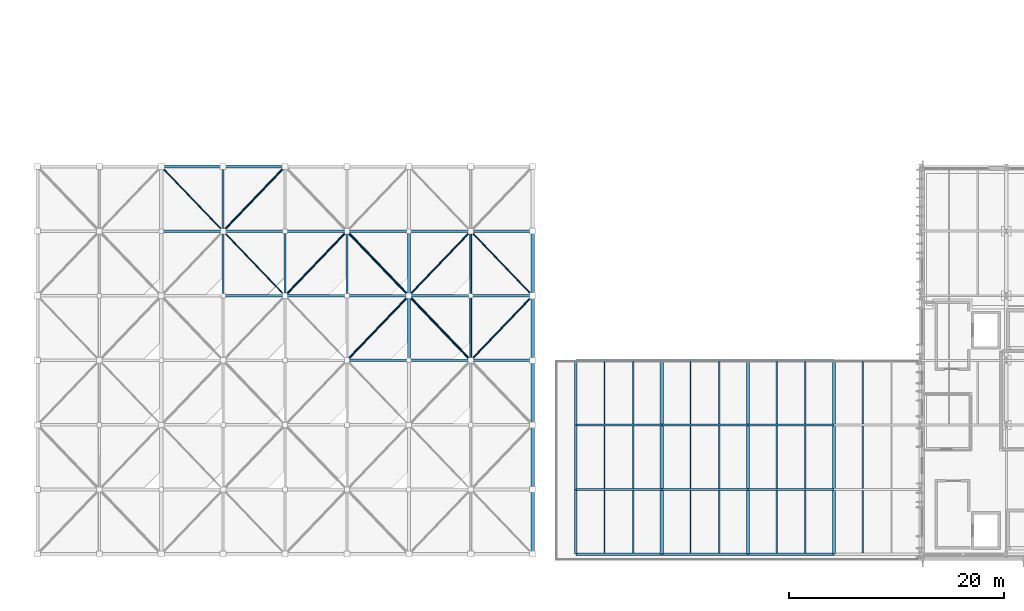
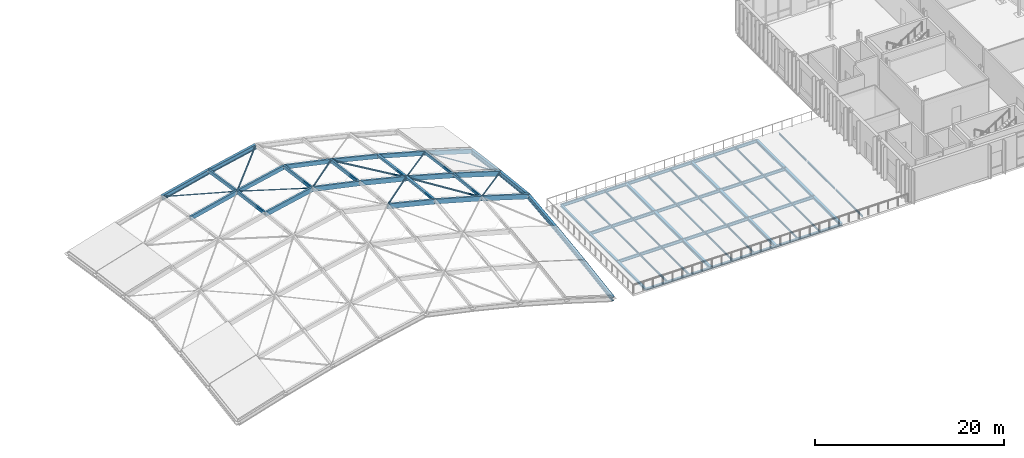
# One storey, part 13 of 62: 52 beams, 32 members.
"""IFC4 building model written with IfcOpenShell, lengths in metres."""

from ifc_helpers import new_model, si_unit, direction, frame, origin, origin_2d, place, context, subcontext, project, spatial, rectangle, hollow_circle, i_section, extrude, material, material_profile, profile_set, type_object, element, save


model = new_model("IFC4")

# Units and contexts
model_context = context("Model", 3, precision=1e-05, world=origin(), true_north=direction((0.0, 1.0)))
body_context = subcontext(model_context, "Body", "Model", "MODEL_VIEW")
ifc_project = project(units=[si_unit("LENGTHUNIT", "METRE"), si_unit("AREAUNIT", "SQUARE_METRE"), si_unit("VOLUMEUNIT", "CUBIC_METRE"), si_unit("PLANEANGLEUNIT", "RADIAN"), si_unit("MASSUNIT", "GRAM", prefix="KILO")], contexts=[model_context])

# Site, building, storey
site_placement = place(None, origin())
site = spatial("IfcSite", under=ifc_project, at=site_placement, CompositionType="ELEMENT")
building_placement = place(site_placement, origin())
building = spatial("IfcBuilding", under=site, at=building_placement, Name="Cymarion Research Institute", CompositionType="ELEMENT")
storey_placement = place(building_placement, frame((0.0, 0.0, 18.300048828125)))
storey = spatial("IfcBuildingStorey", under=building, at=storey_placement, Name="L04", CompositionType="ELEMENT", Elevation=18.300048828125)

# Beams
ifc_material_1 = material(Name="Steel S355", Category="steel")
ifc_material_profile_1 = material_profile(ifc_material_1, i_section(OverallWidth=0.179931640625, OverallDepth=0.39990234375, WebThickness=0.008544921875, FlangeThickness=0.013427734375, FilletRadius=0.02099609375, at=origin_2d()), Name="IPE 400")
ifc_profile_set_1 = profile_set([ifc_material_profile_1], Name="Steel S355")
beam_type_1 = type_object("IfcBeamType", Name="PRIMARY GIRDER BM05 IPE 400", PredefinedType="BEAM", material=ifc_profile_set_1)
for number, where, z_axis, x_axis, name in (
    (1, (106.60595703125, 11.5, -0.4599609375), (1.0, 0.0, 0.0), (0.0, 1.0, 0.0), "L04 V1 girder BM05 #1598"),
    (2, (114.60595703125, 11.5, -0.4599609375), (1.0, 0.0, 0.0), (0.0, 1.0, 0.0), "L04 V1 girder BM05 #1599"),
    (3, (122.60595703125, 11.5, -0.4599609375), (1.0, 0.0, 0.0), (0.0, 1.0, 0.0), "L04 V1 girder BM05 #1600"),
    (4, (106.60595703125, 17.5, -0.4599609375), (1.0, 0.0, 0.0), (0.0, 1.0, 0.0), "L04 V1 girder BM05 #1602"),
    (5, (114.60595703125, 17.5, -0.4599609375), (1.0, 0.0, 0.0), (0.0, 1.0, 0.0), "L04 V1 girder BM05 #1603"),
    (6, (122.60595703125, 17.5, -0.4599609375), (1.0, 0.0, 0.0), (0.0, 1.0, 0.0), "L04 V1 girder BM05 #1604"),
    (7, (106.60595703125, 23.5, -0.4599609375), (1.0, 0.0, 0.0), (0.0, 1.0, 0.0), "L04 V1 girder BM05 #1608"),
    (8, (114.60595703125, 23.5, -0.4599609375), (1.0, 0.0, 0.0), (0.0, 1.0, 0.0), "L04 V1 girder BM05 #1609"),
    (9, (122.60595703125, 23.5, -0.4599609375), (1.0, 0.0, 0.0), (0.0, 1.0, 0.0), "L04 V1 girder BM05 #1610"),
):
    element("IfcBeam", number, at=place(storey_placement, frame(where, z_axis=z_axis, x_axis=x_axis)), inside=storey, type_object=beam_type_1, Name=name, PredefinedType="BEAM", context=body_context, shape_type="SweptSolid", body=[
        extrude(i_section(OverallWidth=0.179931640625, OverallDepth=0.39990234375, WebThickness=0.008544921875, FlangeThickness=0.013427734375, FilletRadius=0.02099609375, at=origin_2d()), origin(), (0.0, 0.0, 1.0), 7.988037109375),
    ])
ifc_material_profile_2 = material_profile(ifc_material_1, i_section(OverallWidth=0.300048828125, OverallDepth=0.35009765625, WebThickness=0.010009765625, FlangeThickness=0.017578125, FilletRadius=0.027099609375, at=origin_2d()), Name="HEA 360")
ifc_profile_set_2 = profile_set([ifc_material_profile_2], Name="Steel S355")
beam_type_2 = type_object("IfcBeamType", Name="PRIMARY GIRDER BM12 HEA 360", PredefinedType="BEAM", material=ifc_profile_set_2)
for number, where, z_axis, x_axis, name in (
    (10, (114.60009765625, 5.506103515625, -0.43505859375), (0.0, 1.0, 0.0), (-1.0, 0.0, 0.0), "L04 V1 girder BM12 #1623"),
    (11, (114.60009765625, 11.506103515625, -0.43505859375), (0.0, 1.0, 0.0), (-1.0, 0.0, 0.0), "L04 V1 girder BM12 #1624"),
    (12, (114.60009765625, 17.506103515625, -0.43505859375), (0.0, 1.0, 0.0), (-1.0, 0.0, 0.0), "L04 V1 girder BM12 #1625"),
    (13, (122.60009765625, 5.506103515625, -0.43505859375), (0.0, 1.0, 0.0), (-1.0, 0.0, 0.0), "L04 V1 girder BM12 #1626"),
    (14, (122.60009765625, 11.506103515625, -0.43505859375), (0.0, 1.0, 0.0), (-1.0, 0.0, 0.0), "L04 V1 girder BM12 #1627"),
    (15, (122.60009765625, 17.506103515625, -0.43505859375), (0.0, 1.0, 0.0), (-1.0, 0.0, 0.0), "L04 V1 girder BM12 #1628"),
    (16, (130.60009765625, 5.506103515625, -0.43505859375), (0.0, 1.0, 0.0), (-1.0, 0.0, 0.0), "L04 V1 girder BM12 #1629"),
    (17, (130.60009765625, 11.506103515625, -0.43505859375), (0.0, 1.0, 0.0), (-1.0, 0.0, 0.0), "L04 V1 girder BM12 #1630"),
    (18, (130.60009765625, 17.506103515625, -0.43505859375), (0.0, 1.0, 0.0), (-1.0, 0.0, 0.0), "L04 V1 girder BM12 #1631"),
):
    element("IfcBeam", number, at=place(storey_placement, frame(where, z_axis=z_axis, x_axis=x_axis)), inside=storey, type_object=beam_type_2, Name=name, PredefinedType="BEAM", context=body_context, shape_type="SweptSolid", body=[
        extrude(i_section(OverallWidth=0.300048828125, OverallDepth=0.35009765625, WebThickness=0.010009765625, FlangeThickness=0.017578125, FilletRadius=0.027099609375, at=origin_2d()), origin(), (0.0, 0.0, 1.0), 5.98779296875),
    ])
ifc_material_profile_3 = material_profile(ifc_material_1, i_section(OverallWidth=0.1201171875, OverallDepth=0.239990234375, WebThickness=0.006103515625, FlangeThickness=0.009765625, FilletRadius=0.014892578125, at=origin_2d()), Name="IPE 240")
ifc_profile_set_3 = profile_set([ifc_material_profile_3], Name="Steel S355")
beam_type_3 = type_object("IfcBeamType", Name="SECONDARY JOIST JS04 IPE 240", PredefinedType="JOIST", material=ifc_profile_set_3)
for number, where, z_axis, x_axis, name in (
    (19, (109.2666015625, 5.6240234375, -0.380126953125), (0.0, 1.0, 0.0), (-1.0, 0.0, 0.0), "L04 V1 secondary joist JS04 #1665"),
    (20, (111.933349609375, 5.6240234375, -0.380126953125), (0.0, 1.0, 0.0), (-1.0, 0.0, 0.0), "L04 V1 secondary joist JS04 #1666"),
    (21, (117.2666015625, 5.6240234375, -0.380126953125), (0.0, 1.0, 0.0), (-1.0, 0.0, 0.0), "L04 V1 secondary joist JS04 #1667"),
    (22, (119.933349609375, 5.6240234375, -0.380126953125), (0.0, 1.0, 0.0), (-1.0, 0.0, 0.0), "L04 V1 secondary joist JS04 #1668"),
    (23, (125.2666015625, 5.6240234375, -0.380126953125), (0.0, 1.0, 0.0), (-1.0, 0.0, 0.0), "L04 V1 secondary joist JS04 #1669"),
    (24, (127.933349609375, 5.6240234375, -0.380126953125), (0.0, 1.0, 0.0), (-1.0, 0.0, 0.0), "L04 V1 secondary joist JS04 #1670"),
    (25, (133.2666015625, 5.6240234375, -0.380126953125), (0.0, 1.0, 0.0), (-1.0, 0.0, 0.0), "L04 V1 secondary joist JS04 #1671"),
):
    element("IfcBeam", number, at=place(storey_placement, frame(where, z_axis=z_axis, x_axis=x_axis)), inside=storey, type_object=beam_type_3, Name=name, PredefinedType="JOIST", context=body_context, shape_type="SweptSolid", body=[
        extrude(i_section(OverallWidth=0.1201171875, OverallDepth=0.239990234375, WebThickness=0.006103515625, FlangeThickness=0.009765625, FilletRadius=0.014892578125, at=origin_2d()), origin(), (0.0, 0.0, 1.0), 5.781982421875),
    ])
for number, where, z_axis, x_axis, name in (
    (26, (109.2666015625, 11.593994140625, -0.380126953125), (0.0, 1.0, 0.0), (-1.0, 0.0, 0.0), "L04 V1 secondary joist JS04 #1673"),
    (27, (111.933349609375, 11.593994140625, -0.380126953125), (0.0, 1.0, 0.0), (-1.0, 0.0, 0.0), "L04 V1 secondary joist JS04 #1674"),
    (28, (117.2666015625, 11.593994140625, -0.380126953125), (0.0, 1.0, 0.0), (-1.0, 0.0, 0.0), "L04 V1 secondary joist JS04 #1675"),
    (29, (119.933349609375, 11.593994140625, -0.380126953125), (0.0, 1.0, 0.0), (-1.0, 0.0, 0.0), "L04 V1 secondary joist JS04 #1676"),
    (30, (125.2666015625, 11.593994140625, -0.380126953125), (0.0, 1.0, 0.0), (-1.0, 0.0, 0.0), "L04 V1 secondary joist JS04 #1677"),
    (31, (127.933349609375, 11.593994140625, -0.380126953125), (0.0, 1.0, 0.0), (-1.0, 0.0, 0.0), "L04 V1 secondary joist JS04 #1678"),
    (32, (133.2666015625, 11.593994140625, -0.380126953125), (0.0, 1.0, 0.0), (-1.0, 0.0, 0.0), "L04 V1 secondary joist JS04 #1679"),
    (33, (109.2666015625, 17.593994140625, -0.380126953125), (0.0, 1.0, 0.0), (-1.0, 0.0, 0.0), "L04 V1 secondary joist JS04 #1681"),
    (34, (111.933349609375, 17.593994140625, -0.380126953125), (0.0, 1.0, 0.0), (-1.0, 0.0, 0.0), "L04 V1 secondary joist JS04 #1682"),
    (35, (117.2666015625, 17.593994140625, -0.380126953125), (0.0, 1.0, 0.0), (-1.0, 0.0, 0.0), "L04 V1 secondary joist JS04 #1683"),
    (36, (119.933349609375, 17.593994140625, -0.380126953125), (0.0, 1.0, 0.0), (-1.0, 0.0, 0.0), "L04 V1 secondary joist JS04 #1684"),
    (37, (125.2666015625, 17.593994140625, -0.380126953125), (0.0, 1.0, 0.0), (-1.0, 0.0, 0.0), "L04 V1 secondary joist JS04 #1685"),
    (38, (127.933349609375, 17.593994140625, -0.380126953125), (0.0, 1.0, 0.0), (-1.0, 0.0, 0.0), "L04 V1 secondary joist JS04 #1686"),
    (39, (133.2666015625, 17.593994140625, -0.380126953125), (0.0, 1.0, 0.0), (-1.0, 0.0, 0.0), "L04 V1 secondary joist JS04 #1687"),
):
    element("IfcBeam", number, at=place(storey_placement, frame(where, z_axis=z_axis, x_axis=x_axis)), inside=storey, type_object=beam_type_3, Name=name, PredefinedType="JOIST", context=body_context, shape_type="SweptSolid", body=[
        extrude(i_section(OverallWidth=0.1201171875, OverallDepth=0.239990234375, WebThickness=0.006103515625, FlangeThickness=0.009765625, FilletRadius=0.014892578125, at=origin_2d()), origin(), (0.0, 0.0, 1.0), 5.81201171875),
    ])
ifc_material_profile_4 = material_profile(ifc_material_1, i_section(OverallWidth=0.300048828125, OverallDepth=0.60009765625, WebThickness=0.015380859375, FlangeThickness=0.030029296875, FilletRadius=0.027099609375, at=origin_2d()), Name="HEB 600")
ifc_profile_set_4 = profile_set([ifc_material_profile_4], Name="Steel S355")
beam_type_4 = type_object("IfcBeamType", Name="SPANDREL BEAM SPB01 HEB 600", PredefinedType="SPANDREL", material=ifc_profile_set_4)
beam_1_placement = place(storey_placement, frame((68.10791015625, 41.5, 3.137939453125), z_axis=(0.971468293593, 0.0, 0.237169463766), x_axis=(0.0, 1.0, 0.0)))
element("IfcBeam", 40, at=beam_1_placement, inside=storey, type_object=beam_type_4, Name="Gridshell perimeter thrust ring beam X 3", PredefinedType="SPANDREL", context=body_context, shape_type="SweptSolid", body=[
    extrude(i_section(OverallWidth=0.300048828125, OverallDepth=0.60009765625, WebThickness=0.015380859375, FlangeThickness=0.030029296875, FilletRadius=0.027099609375, at=origin_2d()), origin(), (0.0, 0.0, 1.0), 5.902587890625),
])
beam_2_placement = place(storey_placement, frame((73.85791015625, 41.5, 4.537841796875), z_axis=(0.97740789229, 0.0, 0.211361803761), x_axis=(0.0, 1.0, 0.0)))
element("IfcBeam", 41, at=beam_2_placement, inside=storey, type_object=beam_type_4, Name="Gridshell perimeter thrust ring beam X 4", PredefinedType="SPANDREL", context=body_context, shape_type="SweptSolid", body=[
    extrude(i_section(OverallWidth=0.300048828125, OverallDepth=0.60009765625, WebThickness=0.015380859375, FlangeThickness=0.030029296875, FilletRadius=0.027099609375, at=origin_2d()), origin(), (0.0, 0.0, 1.0), 5.86669921875),
])
beam_3_placement = place(storey_placement, frame((102.60009765625, 5.508056640625, -0.22216796875), z_axis=(0.0, 0.988132791738, 0.153602037394), x_axis=(-1.0, 0.0, 0.0)))
element("IfcBeam", 42, at=beam_3_placement, inside=storey, type_object=beam_type_4, Name="Gridshell perimeter thrust ring beam Y 1", PredefinedType="SPANDREL", context=body_context, shape_type="SweptSolid", body=[
    extrude(i_section(OverallWidth=0.300048828125, OverallDepth=0.60009765625, WebThickness=0.015380859375, FlangeThickness=0.030029296875, FilletRadius=0.027099609375, at=origin_2d()), origin(), (0.0, 0.0, 1.0), 6.0556640625),
])
beam_4_placement = place(storey_placement, frame((102.60009765625, 11.508056640625, 0.7080078125), z_axis=(0.0, 0.990961079514, 0.134149688365), x_axis=(-1.0, 0.0, 0.0)))
element("IfcBeam", 43, at=beam_4_placement, inside=storey, type_object=beam_type_4, Name="Gridshell perimeter thrust ring beam Y 2", PredefinedType="SPANDREL", context=body_context, shape_type="SweptSolid", body=[
    extrude(i_section(OverallWidth=0.300048828125, OverallDepth=0.60009765625, WebThickness=0.015380859375, FlangeThickness=0.030029296875, FilletRadius=0.027099609375, at=origin_2d()), origin(), (0.0, 0.0, 1.0), 6.03857421875),
])
for number, where, z_axis, x_axis, name in (
    (44, (102.60009765625, 17.508056640625, 1.51806640625), (0.0, 0.993973905132, 0.10961695086), (-1.0, 0.0, 0.0), "Gridshell perimeter thrust ring beam Y 3"),
    (45, (102.60009765625, 23.508056640625, 2.177978515625), (0.0, 0.993973905132, -0.10961695086), (-1.0, 0.0, 0.0), "Gridshell perimeter thrust ring beam Y 4"),
):
    element("IfcBeam", number, at=place(storey_placement, frame(where, z_axis=z_axis, x_axis=x_axis)), inside=storey, type_object=beam_type_4, Name=name, PredefinedType="SPANDREL", context=body_context, shape_type="SweptSolid", body=[
        extrude(i_section(OverallWidth=0.300048828125, OverallDepth=0.60009765625, WebThickness=0.015380859375, FlangeThickness=0.030029296875, FilletRadius=0.027099609375, at=origin_2d()), origin(), (0.0, 0.0, 1.0), 6.020263671875),
    ])
beam_5_placement = place(storey_placement, frame((102.60009765625, 29.508056640625, 1.51806640625), z_axis=(0.0, 0.990961079514, -0.134149688365), x_axis=(-1.0, 0.0, 0.0)))
element("IfcBeam", 46, at=beam_5_placement, inside=storey, type_object=beam_type_4, Name="Gridshell perimeter thrust ring beam Y 5", PredefinedType="SPANDREL", context=body_context, shape_type="SweptSolid", body=[
    extrude(i_section(OverallWidth=0.300048828125, OverallDepth=0.60009765625, WebThickness=0.015380859375, FlangeThickness=0.030029296875, FilletRadius=0.027099609375, at=origin_2d()), origin(), (0.0, 0.0, 1.0), 6.03857421875),
])
ifc_material_profile_5 = material_profile(ifc_material_1, i_section(OverallWidth=0.239990234375, OverallDepth=0.22998046875, WebThickness=0.007568359375, FlangeThickness=0.011962890625, FilletRadius=0.02099609375, at=origin_2d()), Name="HEA 240")
ifc_profile_set_5 = profile_set([ifc_material_profile_5], Name="Steel S355")
beam_type_5 = type_object("IfcBeamType", Name="SPANDREL BEAM SPB03 HEA 240", PredefinedType="SPANDREL", material=ifc_profile_set_5)
for number, where, z_axis, x_axis, name in (
    (47, (106.60595703125, 5.5, -0.375), (1.0, 0.0, 0.0), (0.0, 1.0, 0.0), "L04 V1 girder SPB03 #1592"),
    (48, (114.60595703125, 5.5, -0.375), (1.0, 0.0, 0.0), (0.0, 1.0, 0.0), "L04 V1 girder SPB03 #1593"),
    (49, (122.60595703125, 5.5, -0.375), (1.0, 0.0, 0.0), (0.0, 1.0, 0.0), "L04 V1 girder SPB03 #1594"),
):
    element("IfcBeam", number, at=place(storey_placement, frame(where, z_axis=z_axis, x_axis=x_axis)), inside=storey, type_object=beam_type_5, Name=name, PredefinedType="SPANDREL", context=body_context, shape_type="SweptSolid", body=[
        extrude(i_section(OverallWidth=0.239990234375, OverallDepth=0.22998046875, WebThickness=0.007568359375, FlangeThickness=0.011962890625, FilletRadius=0.02099609375, at=origin_2d()), origin(), (0.0, 0.0, 1.0), 7.988037109375),
    ])
for number, where, z_axis, x_axis, name in (
    (50, (106.60009765625, 5.506103515625, -0.375), (0.0, 1.0, 0.0), (-1.0, 0.0, 0.0), "L04 V1 girder SPB03 #1620"),
    (51, (106.60009765625, 11.506103515625, -0.375), (0.0, 1.0, 0.0), (-1.0, 0.0, 0.0), "L04 V1 girder SPB03 #1621"),
    (52, (106.60009765625, 17.506103515625, -0.375), (0.0, 1.0, 0.0), (-1.0, 0.0, 0.0), "L04 V1 girder SPB03 #1622"),
):
    element("IfcBeam", number, at=place(storey_placement, frame(where, z_axis=z_axis, x_axis=x_axis)), inside=storey, type_object=beam_type_5, Name=name, PredefinedType="SPANDREL", context=body_context, shape_type="SweptSolid", body=[
        extrude(i_section(OverallWidth=0.239990234375, OverallDepth=0.22998046875, WebThickness=0.007568359375, FlangeThickness=0.011962890625, FilletRadius=0.02099609375, at=origin_2d()), origin(), (0.0, 0.0, 1.0), 5.98779296875),
    ])

# Members
ifc_material_profile_6 = material_profile(ifc_material_1, hollow_circle(Radius=0.096923828125, WallThickness=0.010009765625, at=origin_2d()), Name="CHS 193.7x10")
ifc_profile_set_6 = profile_set([ifc_material_profile_6], Name="Steel S355")
member_type_1 = type_object("IfcMemberType", Name="STRUCTURAL MEMBER BR01 CHS 193.7x10", PredefinedType="BRACE", material=ifc_profile_set_6)
member_1_placement = place(storey_placement, frame((73.8603515625, 35.5107421875, 5.588623046875), z_axis=(0.691414384273, 0.721496375424, 0.037271027234), x_axis=(-0.721998024065, 0.69189511723, 0.0)))
element("IfcMember", 53, at=member_1_placement, inside=storey, type_object=member_type_1, Name="Gridshell tubular diagonal brace BR01 #106", PredefinedType="BRACE", context=body_context, shape_type="SweptSolid", body=[
    extrude(hollow_circle(Radius=0.096923828125, WallThickness=0.010009765625, at=origin_2d()), origin(), (0.0, 0.0, 1.0), 8.286376953125),
])
member_2_placement = place(storey_placement, frame((79.610107421875, 29.510498046875, 7.63427734375), z_axis=(0.671761151962, 0.700985581471, -0.239491480611), x_axis=(-0.721996795988, 0.691896398736, 0.0)))
element("IfcMember", 54, at=member_2_placement, inside=storey, type_object=member_type_1, Name="Gridshell tubular diagonal brace BR01 #111", PredefinedType="BRACE", context=body_context, shape_type="SweptSolid", body=[
    extrude(hollow_circle(Radius=0.096923828125, WallThickness=0.010009765625, at=origin_2d()), origin(), (0.0, 0.0, 1.0), 8.529541015625),
])
member_3_placement = place(storey_placement, frame((85.360107421875, 23.510498046875, 7.054443359375), z_axis=(0.671567342391, 0.700783340371, -0.240624218423), x_axis=(-0.721996795988, 0.691896398736, 0.0)))
element("IfcMember", 55, at=member_3_placement, inside=storey, type_object=member_type_1, Name="Gridshell tubular diagonal brace BR01 #116", PredefinedType="BRACE", context=body_context, shape_type="SweptSolid", body=[
    extrude(hollow_circle(Radius=0.096923828125, WallThickness=0.010009765625, at=origin_2d()), origin(), (0.0, 0.0, 1.0), 8.531982421875),
])
ifc_material_profile_7 = material_profile(ifc_material_1, hollow_circle(Radius=0.109619140625, WallThickness=0.010009765625, at=origin_2d()), Name="CHS 219.1x10")
ifc_profile_set_7 = profile_set([ifc_material_profile_7], Name="Steel S355")
member_type_2 = type_object("IfcMemberType", Name="STRUCTURAL MEMBER BR02 CHS 219.1x10", PredefinedType="BRACE", material=ifc_profile_set_7)
member_4_placement = place(storey_placement, frame((91.089599609375, 29.5107421875, 4.9990234375), z_axis=(-0.690157914164, 0.720185238934, 0.070818607291), x_axis=(-0.721998024065, -0.69189511723, 0.0)))
element("IfcMember", 56, at=member_4_placement, inside=storey, type_object=member_type_2, Name="Gridshell tubular diagonal brace BR02 #117", PredefinedType="BRACE", context=body_context, shape_type="SweptSolid", body=[
    extrude(hollow_circle(Radius=0.109619140625, WallThickness=0.010009765625, at=origin_2d()), origin(), (0.0, 0.0, 1.0), 8.30126953125),
])
member_5_placement = place(storey_placement, frame((96.839599609375, 23.5107421875, 4.0595703125), z_axis=(-0.687509660129, 0.717421764914, 0.112412092126), x_axis=(-0.721998024065, -0.69189511723, 0.0)))
element("IfcMember", 57, at=member_5_placement, inside=storey, type_object=member_type_2, Name="Gridshell tubular diagonal brace BR02 #122", PredefinedType="BRACE", context=body_context, shape_type="SweptSolid", body=[
    extrude(hollow_circle(Radius=0.109619140625, WallThickness=0.010009765625, at=origin_2d()), origin(), (0.0, 0.0, 1.0), 8.333251953125),
])
ifc_material_profile_8 = material_profile(ifc_material_1, hollow_circle(Radius=0.084228515625, WallThickness=0.008056640625, at=origin_2d()), Name="CHS 168.3x8")
ifc_profile_set_8 = profile_set([ifc_material_profile_8], Name="Steel S355")
member_type_3 = type_object("IfcMemberType", Name="STRUCTURAL MEMBER BR05 CHS 168.3x8", PredefinedType="BRACE", material=ifc_profile_set_8)
member_6_placement = place(storey_placement, frame((91.110107421875, 29.510498046875, 4.99365234375), z_axis=(0.664531948768, 0.693412331714, -0.278525810823), x_axis=(-0.721982068835, 0.691911766254, 0.0)))
element("IfcMember", 58, at=member_6_placement, inside=storey, type_object=member_type_3, Name="Gridshell tubular diagonal brace BR05 #123", PredefinedType="BRACE", context=body_context, shape_type="SweptSolid", body=[
    extrude(hollow_circle(Radius=0.084228515625, WallThickness=0.008056640625, at=origin_2d()), origin(), (0.0, 0.0, 1.0), 8.62255859375),
])
member_7_placement = place(storey_placement, frame((96.860107421875, 23.510498046875, 4.0537109375), z_axis=(0.66431673946, 0.693187769467, -0.27959611216), x_axis=(-0.721982068835, 0.691911766254, 0.0)))
element("IfcMember", 59, at=member_7_placement, inside=storey, type_object=member_type_3, Name="Gridshell tubular diagonal brace BR05 #128", PredefinedType="BRACE", context=body_context, shape_type="SweptSolid", body=[
    extrude(hollow_circle(Radius=0.084228515625, WallThickness=0.008056640625, at=origin_2d()), origin(), (0.0, 0.0, 1.0), 8.62548828125),
])
ifc_material_profile_9 = material_profile(ifc_material_1, hollow_circle(Radius=0.06982421875, WallThickness=0.008056640625, at=origin_2d()), Name="CHS 139.7x8")
ifc_profile_set_9 = profile_set([ifc_material_profile_9], Name="Steel S355")
member_type_4 = type_object("IfcMemberType", Name="STRUCTURAL MEMBER BR06 CHS 139.7x8", PredefinedType="BRACE", material=ifc_profile_set_9)
member_8_placement = place(storey_placement, frame((73.840087890625, 35.510498046875, 5.583984375), z_axis=(-0.666218486151, 0.695172165566, -0.269978867566), x_axis=(-0.721982068835, -0.691911766254, 0.0)))
element("IfcMember", 60, at=member_8_placement, inside=storey, type_object=member_type_4, Name="Gridshell tubular diagonal brace BR06 #100", PredefinedType="BRACE", context=body_context, shape_type="SweptSolid", body=[
    extrude(hollow_circle(Radius=0.06982421875, WallThickness=0.008056640625, at=origin_2d()), origin(), (0.0, 0.0, 1.0), 8.600830078125),
])
member_9_placement = place(storey_placement, frame((79.58984375, 29.510498046875, 7.63427734375), z_axis=(-0.671761151962, 0.700985581471, -0.239491480611), x_axis=(-0.721996795988, -0.691896398736, 0.0)))
element("IfcMember", 61, at=member_9_placement, inside=storey, type_object=member_type_4, Name="Gridshell tubular diagonal brace BR06 #105", PredefinedType="BRACE", context=body_context, shape_type="SweptSolid", body=[
    extrude(hollow_circle(Radius=0.06982421875, WallThickness=0.008056640625, at=origin_2d()), origin(), (0.0, 0.0, 1.0), 8.529541015625),
])
member_10_placement = place(storey_placement, frame((102.589599609375, 29.5107421875, 1.6396484375), z_axis=(-0.687418638492, 0.717326783116, 0.113568929196), x_axis=(-0.721998024065, -0.69189511723, 0.0)))
element("IfcMember", 62, at=member_10_placement, inside=storey, type_object=member_type_4, Name="Gridshell tubular diagonal brace BR06 #129", PredefinedType="BRACE", context=body_context, shape_type="SweptSolid", body=[
    extrude(hollow_circle(Radius=0.06982421875, WallThickness=0.008056640625, at=origin_2d()), origin(), (0.0, 0.0, 1.0), 8.33447265625),
])
ifc_material_2 = material(Name="Glulam GL28h", Category="wood")
ifc_material_profile_10 = material_profile(ifc_material_2, rectangle(XDim=0.239990234375, YDim=0.60009765625, at=origin_2d()), Name="GL28h 240x600")
ifc_profile_set_10 = profile_set([ifc_material_profile_10], Name="Glulam GL28h")
member_type_5 = type_object("IfcMemberType", Name="STRUCTURAL MEMBER GR01 GL28h 240x600", PredefinedType="CHORD", material=ifc_profile_set_10)
member_11_placement = place(storey_placement, frame((85.35791015625, 23.5, 6.93798828125), z_axis=(0.971458762999, 0.0, -0.237208498565), x_axis=(0.0, 1.0, 0.0)))
element("IfcMember", 63, at=member_11_placement, inside=storey, type_object=member_type_5, Name="Gridshell glulam longitudinal rib GR01 #22", PredefinedType="CHORD", context=body_context, shape_type="SweptSolid", body=[
    extrude(rectangle(XDim=0.239990234375, YDim=0.60009765625, at=origin_2d()), origin(), (0.0, 0.0, 1.0), 5.902587890625),
])
member_12_placement = place(storey_placement, frame((91.10791015625, 23.5, 5.537841796875), z_axis=(0.963212349866, 0.0, -0.268741453939), x_axis=(0.0, 1.0, 0.0)))
element("IfcMember", 64, at=member_12_placement, inside=storey, type_object=member_type_5, Name="Gridshell glulam longitudinal rib GR01 #23", PredefinedType="CHORD", context=body_context, shape_type="SweptSolid", body=[
    extrude(rectangle(XDim=0.239990234375, YDim=0.60009765625, at=origin_2d()), origin(), (0.0, 0.0, 1.0), 5.953125),
])
member_13_placement = place(storey_placement, frame((96.85791015625, 23.5, 3.93798828125), z_axis=(0.955982073369, 0.0, -0.293425076294), x_axis=(0.0, 1.0, 0.0)))
element("IfcMember", 65, at=member_13_placement, inside=storey, type_object=member_type_5, Name="Gridshell glulam longitudinal rib GR01 #24", PredefinedType="CHORD", context=body_context, shape_type="SweptSolid", body=[
    extrude(rectangle(XDim=0.239990234375, YDim=0.60009765625, at=origin_2d()), origin(), (0.0, 0.0, 1.0), 5.998046875),
])
for number, where, z_axis, x_axis, name in (
    (66, (73.85791015625, 29.5, 6.27783203125), (0.977399294484, 0.0, 0.211401558989), (0.0, 1.0, 0.0), "Gridshell glulam longitudinal rib GR01 #28"),
    (67, (79.60791015625, 29.5, 7.51806640625), (0.977399294484, 0.0, -0.211401558989), (0.0, 1.0, 0.0), "Gridshell glulam longitudinal rib GR01 #29"),
):
    element("IfcMember", number, at=place(storey_placement, frame(where, z_axis=z_axis, x_axis=x_axis)), inside=storey, type_object=member_type_5, Name=name, PredefinedType="CHORD", context=body_context, shape_type="SweptSolid", body=[
        extrude(rectangle(XDim=0.239990234375, YDim=0.60009765625, at=origin_2d()), origin(), (0.0, 0.0, 1.0), 5.86669921875),
    ])
member_14_placement = place(storey_placement, frame((85.35791015625, 29.5, 6.27783203125), z_axis=(0.971468293593, 0.0, -0.237169463766), x_axis=(0.0, 1.0, 0.0)))
element("IfcMember", 68, at=member_14_placement, inside=storey, type_object=member_type_5, Name="Gridshell glulam longitudinal rib GR01 #30", PredefinedType="CHORD", context=body_context, shape_type="SweptSolid", body=[
    extrude(rectangle(XDim=0.239990234375, YDim=0.60009765625, at=origin_2d()), origin(), (0.0, 0.0, 1.0), 5.902587890625),
])
member_15_placement = place(storey_placement, frame((91.10791015625, 29.5, 4.8779296875), z_axis=(0.963201733469, 0.0, -0.268779501901), x_axis=(0.0, 1.0, 0.0)))
element("IfcMember", 69, at=member_15_placement, inside=storey, type_object=member_type_5, Name="Gridshell glulam longitudinal rib GR01 #31", PredefinedType="CHORD", context=body_context, shape_type="SweptSolid", body=[
    extrude(rectangle(XDim=0.239990234375, YDim=0.60009765625, at=origin_2d()), origin(), (0.0, 0.0, 1.0), 5.953125),
])
member_16_placement = place(storey_placement, frame((96.85791015625, 29.5, 3.27783203125), z_axis=(0.955993490233, 0.0, -0.293387877447), x_axis=(0.0, 1.0, 0.0)))
element("IfcMember", 70, at=member_16_placement, inside=storey, type_object=member_type_5, Name="Gridshell glulam longitudinal rib GR01 #32", PredefinedType="CHORD", context=body_context, shape_type="SweptSolid", body=[
    extrude(rectangle(XDim=0.239990234375, YDim=0.60009765625, at=origin_2d()), origin(), (0.0, 0.0, 1.0), 5.998046875),
])
ifc_material_profile_11 = material_profile(ifc_material_2, rectangle(XDim=0.239990234375, YDim=0.52001953125, at=origin_2d()), Name="GL28h 240x520")
ifc_profile_set_11 = profile_set([ifc_material_profile_11], Name="Glulam GL28h")
member_type_6 = type_object("IfcMemberType", Name="STRUCTURAL MEMBER GR02 GL28h 240x520", PredefinedType="CHORD", material=ifc_profile_set_11)
member_17_placement = place(storey_placement, frame((68.10791015625, 35.5, 4.10791015625), z_axis=(0.971458762999, 0.0, 0.237208498565), x_axis=(0.0, 1.0, 0.0)))
element("IfcMember", 71, at=member_17_placement, inside=storey, type_object=member_type_6, Name="Gridshell glulam longitudinal rib GR02 #35", PredefinedType="CHORD", context=body_context, shape_type="SweptSolid", body=[
    extrude(rectangle(XDim=0.239990234375, YDim=0.52001953125, at=origin_2d()), origin(), (0.0, 0.0, 1.0), 5.902587890625),
])
for number, where, z_axis, x_axis, name in (
    (72, (73.85791015625, 35.5, 5.508056640625), (0.97740789229, 0.0, 0.211361803761), (0.0, 1.0, 0.0), "Gridshell glulam longitudinal rib GR02 #36"),
    (73, (79.60791015625, 35.5, 6.748046875), (0.97740789229, 0.0, -0.211361803761), (0.0, 1.0, 0.0), "Gridshell glulam longitudinal rib GR02 #37"),
):
    element("IfcMember", number, at=place(storey_placement, frame(where, z_axis=z_axis, x_axis=x_axis)), inside=storey, type_object=member_type_6, Name=name, PredefinedType="CHORD", context=body_context, shape_type="SweptSolid", body=[
        extrude(rectangle(XDim=0.239990234375, YDim=0.52001953125, at=origin_2d()), origin(), (0.0, 0.0, 1.0), 5.86669921875),
    ])
member_18_placement = place(storey_placement, frame((85.35791015625, 35.5, 5.508056640625), z_axis=(0.971458762999, 0.0, -0.237208498565), x_axis=(0.0, 1.0, 0.0)))
element("IfcMember", 74, at=member_18_placement, inside=storey, type_object=member_type_6, Name="Gridshell glulam longitudinal rib GR02 #38", PredefinedType="CHORD", context=body_context, shape_type="SweptSolid", body=[
    extrude(rectangle(XDim=0.239990234375, YDim=0.52001953125, at=origin_2d()), origin(), (0.0, 0.0, 1.0), 5.902587890625),
])
member_19_placement = place(storey_placement, frame((91.10791015625, 35.5, 4.10791015625), z_axis=(0.963212349866, 0.0, -0.268741453939), x_axis=(0.0, 1.0, 0.0)))
element("IfcMember", 75, at=member_19_placement, inside=storey, type_object=member_type_6, Name="Gridshell glulam longitudinal rib GR02 #39", PredefinedType="CHORD", context=body_context, shape_type="SweptSolid", body=[
    extrude(rectangle(XDim=0.239990234375, YDim=0.52001953125, at=origin_2d()), origin(), (0.0, 0.0, 1.0), 5.953125),
])
member_20_placement = place(storey_placement, frame((96.85791015625, 35.5, 2.508056640625), z_axis=(0.955982073369, 0.0, -0.293425076294), x_axis=(0.0, 1.0, 0.0)))
element("IfcMember", 76, at=member_20_placement, inside=storey, type_object=member_type_6, Name="Gridshell glulam longitudinal rib GR02 #40", PredefinedType="CHORD", context=body_context, shape_type="SweptSolid", body=[
    extrude(rectangle(XDim=0.239990234375, YDim=0.52001953125, at=origin_2d()), origin(), (0.0, 0.0, 1.0), 5.998046875),
])
ifc_material_profile_12 = material_profile(ifc_material_2, rectangle(XDim=0.199951171875, YDim=0.43994140625, at=origin_2d()), Name="GL28h 200x440")
ifc_profile_set_12 = profile_set([ifc_material_profile_12], Name="Glulam GL28h")
member_type_7 = type_object("IfcMemberType", Name="STRUCTURAL MEMBER GR03 GL28h 200x440", PredefinedType="PURLIN", material=ifc_profile_set_12)
member_21_placement = place(storey_placement, frame((73.85009765625, 29.508056640625, 6.35791015625), z_axis=(0.0, 0.990961079514, -0.134149688365), x_axis=(-1.0, 0.0, 0.0)))
element("IfcMember", 77, at=member_21_placement, inside=storey, type_object=member_type_7, Name="Gridshell glulam transverse purlin GR03 #57", PredefinedType="PURLIN", context=body_context, shape_type="SweptSolid", body=[
    extrude(rectangle(XDim=0.199951171875, YDim=0.43994140625, at=origin_2d()), origin(), (0.0, 0.0, 1.0), 6.03857421875),
])
member_22_placement = place(storey_placement, frame((73.85009765625, 35.508056640625, 5.5478515625), z_axis=(0.0, 0.988138910046, -0.15356267272), x_axis=(-1.0, 0.0, 0.0)))
element("IfcMember", 78, at=member_22_placement, inside=storey, type_object=member_type_7, Name="Gridshell glulam transverse purlin GR03 #58", PredefinedType="PURLIN", context=body_context, shape_type="SweptSolid", body=[
    extrude(rectangle(XDim=0.199951171875, YDim=0.43994140625, at=origin_2d()), origin(), (0.0, 0.0, 1.0), 6.0556640625),
])
for number, where, z_axis, x_axis, name in (
    (79, (79.60009765625, 29.508056640625, 7.597900390625), (0.0, 0.990961079514, -0.134149688365), (-1.0, 0.0, 0.0), "Gridshell glulam transverse purlin GR03 #63"),
    (80, (85.35009765625, 29.508056640625, 6.35791015625), (0.0, 0.990961079514, -0.134149688365), (-1.0, 0.0, 0.0), "Gridshell glulam transverse purlin GR03 #69"),
):
    element("IfcMember", number, at=place(storey_placement, frame(where, z_axis=z_axis, x_axis=x_axis)), inside=storey, type_object=member_type_7, Name=name, PredefinedType="PURLIN", context=body_context, shape_type="SweptSolid", body=[
        extrude(rectangle(XDim=0.199951171875, YDim=0.43994140625, at=origin_2d()), origin(), (0.0, 0.0, 1.0), 6.03857421875),
    ])
ifc_material_profile_13 = material_profile(ifc_material_2, rectangle(XDim=0.179931640625, YDim=0.360107421875, at=origin_2d()), Name="GL28h 180x360")
ifc_profile_set_13 = profile_set([ifc_material_profile_13], Name="Glulam GL28h")
member_type_8 = type_object("IfcMemberType", Name="STRUCTURAL MEMBER GR04 GL28h 180x360", PredefinedType="PURLIN", material=ifc_profile_set_13)
member_23_placement = place(storey_placement, frame((96.85009765625, 23.508056640625, 4.057861328125), z_axis=(0.0, 0.993973905132, -0.10961695086), x_axis=(-1.0, 0.0, 0.0)))
element("IfcMember", 81, at=member_23_placement, inside=storey, type_object=member_type_8, Name="Gridshell glulam transverse purlin GR04 #80", PredefinedType="PURLIN", context=body_context, shape_type="SweptSolid", body=[
    extrude(rectangle(XDim=0.179931640625, YDim=0.360107421875, at=origin_2d()), origin(), (0.0, 0.0, 1.0), 6.020263671875),
])
member_24_placement = place(storey_placement, frame((96.85009765625, 29.508056640625, 3.39794921875), z_axis=(0.0, 0.990961079514, -0.134149688365), x_axis=(-1.0, 0.0, 0.0)))
element("IfcMember", 82, at=member_24_placement, inside=storey, type_object=member_type_8, Name="Gridshell glulam transverse purlin GR04 #81", PredefinedType="PURLIN", context=body_context, shape_type="SweptSolid", body=[
    extrude(rectangle(XDim=0.179931640625, YDim=0.360107421875, at=origin_2d()), origin(), (0.0, 0.0, 1.0), 6.03857421875),
])
ifc_material_profile_14 = material_profile(ifc_material_2, rectangle(XDim=0.280029296875, YDim=0.280029296875, at=origin_2d()), Name="GL28h 280x280")
ifc_profile_set_14 = profile_set([ifc_material_profile_14], Name="Glulam GL28h")
member_type_9 = type_object("IfcMemberType", Name="STRUCTURAL MEMBER GR05 GL28h 280x280", PredefinedType="PURLIN", material=ifc_profile_set_14)
member_25_placement = place(storey_placement, frame((91.10009765625, 23.508056640625, 5.697998046875), z_axis=(0.0, 0.993969485748, -0.109657017114), x_axis=(-1.0, 0.0, 0.0)))
element("IfcMember", 83, at=member_25_placement, inside=storey, type_object=member_type_9, Name="Gridshell glulam transverse purlin GR05 #74", PredefinedType="PURLIN", context=body_context, shape_type="SweptSolid", body=[
    extrude(rectangle(XDim=0.280029296875, YDim=0.280029296875, at=origin_2d()), origin(), (0.0, 0.0, 1.0), 6.020263671875),
])
member_26_placement = place(storey_placement, frame((91.10009765625, 29.508056640625, 5.037841796875), z_axis=(0.0, 0.990966453514, -0.134109984753), x_axis=(-1.0, 0.0, 0.0)))
element("IfcMember", 84, at=member_26_placement, inside=storey, type_object=member_type_9, Name="Gridshell glulam transverse purlin GR05 #75", PredefinedType="PURLIN", context=body_context, shape_type="SweptSolid", body=[
    extrude(rectangle(XDim=0.280029296875, YDim=0.280029296875, at=origin_2d()), origin(), (0.0, 0.0, 1.0), 6.038330078125),
])

save(model, "model.ifc")
